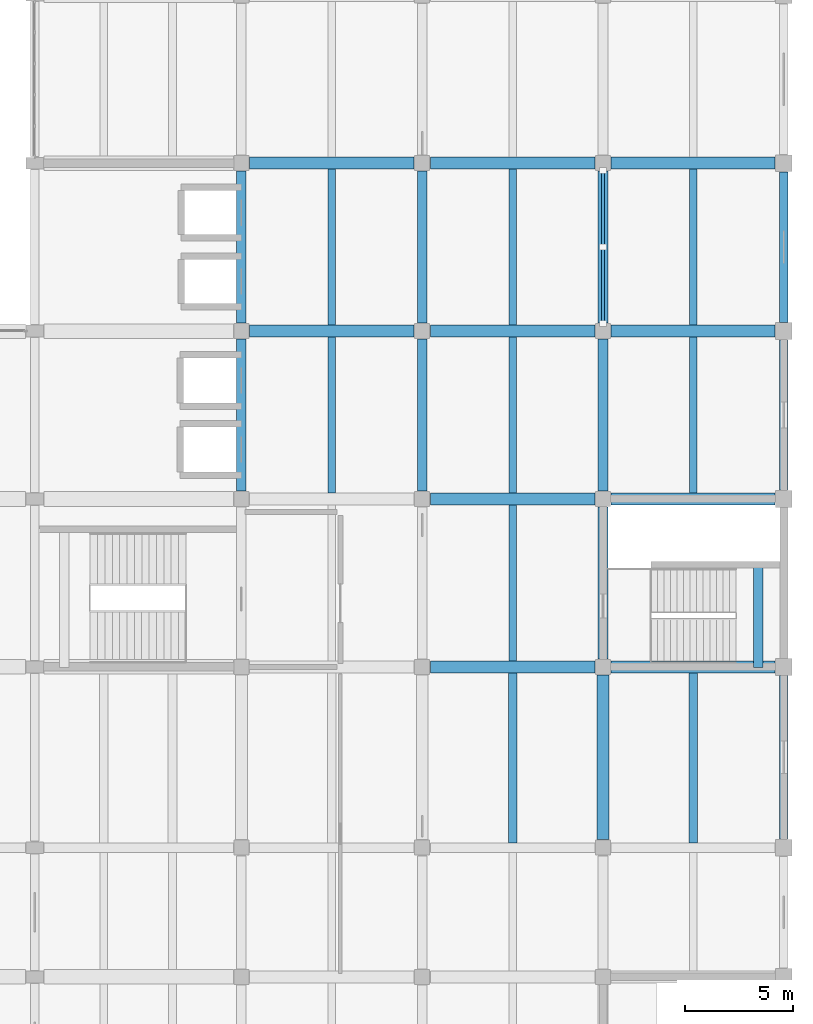
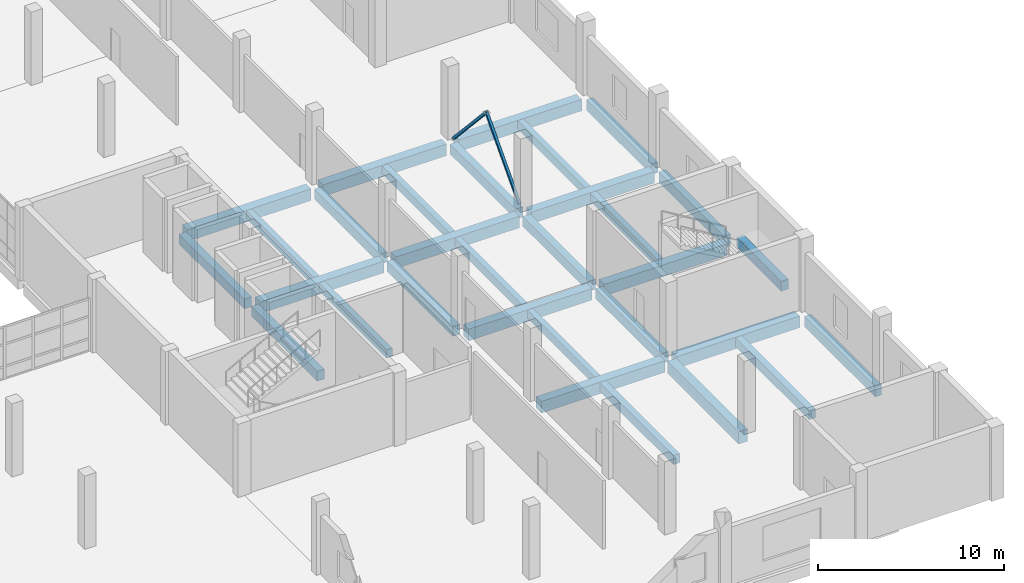
# One storey, part 54 of 91: 31 beams, 2 members.
"""IFC4 building model written with IfcOpenShell, lengths in metres."""

import ifcopenshell
import ifcopenshell.guid

model = None  # the IFC model being written
_history = None  # IfcOwnerHistory: only IFC2X3 demands one
_inside = {}  # id of a spatial element -> (the spatial element, [elements in it])
_under = {}  # id of a project, library or spatial element -> (it, [spatial elements below it])
_declared = {}  # id of a project -> (the project, [libraries it declares])
_typed = {}  # id of a type object -> (the type object, [elements of that type])
_made_of = {}  # id of a material, layer set ... -> (it, [elements and type objects made of it])


def new_model(schema):
    """Start an empty IFC model of exactly this schema.

    Asked for "IFC4X3", IfcOpenShell would pick the latest addendum, in which some entities
    have other attributes; the version numbers below select the first issue.
    IFC2X3 requires an IfcOwnerHistory on every rooted entity: one is made here for all.
    """
    global model, _history
    if schema == "IFC4X3":
        model = ifcopenshell.file(schema_version=(4, 3, 0, 0))
    else:
        model = ifcopenshell.file(schema=schema)
    _inside.clear()
    _under.clear()
    _declared.clear()
    _typed.clear()
    _made_of.clear()
    _history = None
    if model.schema == "IFC2X3":
        org = make("IfcOrganization", Name="unknown")
        user = make(
            "IfcPersonAndOrganization",
            ThePerson=make("IfcPerson", FamilyName="unknown"),
            TheOrganization=org,
        )
        app = make(
            "IfcApplication",
            ApplicationDeveloper=org,
            Version="unknown",
            ApplicationFullName="unknown",
            ApplicationIdentifier="unknown",
        )
        _history = make(
            "IfcOwnerHistory",
            OwningUser=user,
            OwningApplication=app,
            ChangeAction="ADDED",
            CreationDate=0,
        )
    return model


def make(cls, **values):
    """One entity of the class cls with the attributes given. An attribute that is None is left unset."""
    return model.create_entity(
        cls, **{name: value for name, value in values.items() if value is not None}
    )


def rooted(cls, **values):
    """An entity with a GlobalId (a new one), such as an element, a storey or a relation."""
    return make(cls, GlobalId=ifcopenshell.guid.new(), OwnerHistory=_history, **values)


def si_unit(unit_type, name, prefix=None):
    """IfcSIUnit, for example si_unit("LENGTHUNIT", "METRE", prefix="MILLI")."""
    return make("IfcSIUnit", UnitType=unit_type, Prefix=prefix, Name=name)


def assignment(units):
    """IfcUnitAssignment: the units of a project."""
    return None if units is None else make("IfcUnitAssignment", Units=units)


def point(xyz):
    """IfcCartesianPoint."""
    return None if xyz is None else make("IfcCartesianPoint", Coordinates=xyz)


def direction(xyz):
    """IfcDirection."""
    return None if xyz is None else make("IfcDirection", DirectionRatios=xyz)


def frame(location, z_axis=None, x_axis=None):
    """IfcAxis2Placement3D, a coordinate frame: its origin and axes. An axis left out is left unset."""
    return make(
        "IfcAxis2Placement3D",
        Location=point(location),
        Axis=direction(z_axis),
        RefDirection=direction(x_axis),
    )


def frame_2d(location, x_axis=None):
    """IfcAxis2Placement2D, a coordinate frame in the plane: its origin and x axis."""
    return make(
        "IfcAxis2Placement2D", Location=point(location), RefDirection=direction(x_axis)
    )


def origin():
    """The frame at (0, 0, 0) with its axes left unset."""
    return frame((0.0, 0.0, 0.0))


def origin_2d():
    """The frame at (0, 0) in the plane with its x axis left unset."""
    return frame_2d((0.0, 0.0))


def place(relative_to, where):
    """IfcLocalPlacement: puts the frame where relative to a parent placement (None: the world)."""
    return make(
        "IfcLocalPlacement", PlacementRelTo=relative_to, RelativePlacement=where
    )


def context(
    kind, dimensions, precision=None, world=None, true_north=None, identifier=None
):
    """IfcGeometricRepresentationContext, for example the 3D "Model" context."""
    return make(
        "IfcGeometricRepresentationContext",
        ContextIdentifier=identifier,
        ContextType=kind,
        CoordinateSpaceDimension=dimensions,
        Precision=precision,
        WorldCoordinateSystem=world,
        TrueNorth=true_north,
    )


def subcontext(parent, identifier, kind, view, scale=None):
    """IfcGeometricRepresentationSubContext, for example "Body" below "Model"."""
    return make(
        "IfcGeometricRepresentationSubContext",
        ContextIdentifier=identifier,
        ContextType=kind,
        ParentContext=parent,
        TargetScale=scale,
        TargetView=view,
    )


def project(units=None, contexts=None):
    """IfcProject with its units and contexts."""
    return rooted(
        "IfcProject",
        Name="project",
        RepresentationContexts=contexts,
        UnitsInContext=assignment(units),
    )


def spatial(cls, under=None, at=None, **own):
    """A site, building, storey or space (cls), placed at a placement, below another one or the project."""
    s = rooted(cls, ObjectPlacement=at, **own)
    if under is not None:
        _under.setdefault(under.id(), (under, []))[1].append(s)
    return s


def profile(cls, at=None, kind="AREA", **sizes):
    """A parametric profile (cls). Its sizes go by their IFC names, for example OverallWidth=200.0."""
    return make(cls, ProfileType=kind, Position=at, **sizes)


def rectangle(**sizes):
    """IfcRectangleProfileDef."""
    return profile("IfcRectangleProfileDef", **sizes)


def hollow_rectangle(**sizes):
    """IfcRectangleHollowProfileDef."""
    return profile("IfcRectangleHollowProfileDef", **sizes)


def extrude(swept, where, along, depth):
    """IfcExtrudedAreaSolid: the profile swept, set in the frame where, extruded along a direction by depth."""
    return make(
        "IfcExtrudedAreaSolid",
        SweptArea=swept,
        Position=where,
        ExtrudedDirection=direction(along),
        Depth=depth,
    )


def shape(context_of_items, identifier, shape_type, items):
    """IfcShapeRepresentation: the items that make up one representation, for example the "Body"."""
    return make(
        "IfcShapeRepresentation",
        ContextOfItems=context_of_items,
        RepresentationIdentifier=identifier,
        RepresentationType=shape_type,
        Items=items,
    )


def material(Name=None, Category=None):
    """IfcMaterial."""
    return make("IfcMaterial", Name=Name, Category=Category)


def material_profile(
    of_material, cross_section, Name=None, Category=None, Priority=None
):
    """IfcMaterialProfile: a cross section and its material."""
    return make(
        "IfcMaterialProfile",
        Name=Name,
        Material=of_material,
        Profile=cross_section,
        Priority=Priority,
        Category=Category,
    )


def profile_set(profiles, Name=None, composite=None):
    """IfcMaterialProfileSet."""
    return make(
        "IfcMaterialProfileSet",
        Name=Name,
        MaterialProfiles=profiles,
        CompositeProfile=composite,
    )


def made_of(thing, what):
    """Note that an element or type object is made of a material, layer set ...; save() writes the relation."""
    if what is not None:
        _made_of.setdefault(what.id(), (what, []))[1].append(thing)
    return thing


def type_object(cls, material=None, **own):
    """A type object (cls), such as IfcWallType, which elements share."""
    return made_of(rooted(cls, **own), material)


def element(
    cls,
    number,
    at=None,
    inside=None,
    cuts=None,
    type_object=None,
    material=None,
    context=None,
    identifier="Body",
    shape_type=None,
    held_by="IfcProductDefinitionShape",
    body=None,
    shapes=None,
    **own,
):
    """One element of the class cls, such as IfcWall. Its Tag is "e" and its number.

    at: its placement. inside: the storey or other place that contains it. cuts: it is an
    opening in that element (IfcRelVoidsElement). A single representation is given by context,
    identifier, shape_type and body (its items); several are given by shapes. held_by: the class
    of the entity that holds the representations. save() writes the other relations.
    """
    e = rooted(cls, Tag="e%d" % number, ObjectPlacement=at, **own)
    if body is not None:
        shapes = [shape(context, identifier, shape_type, body)]
    if shapes is not None:
        e.Representation = make(held_by, Representations=shapes)
    if inside is not None:
        _inside.setdefault(inside.id(), (inside, []))[1].append(e)
    if cuts is not None:
        rooted(
            "IfcRelVoidsElement", RelatingBuildingElement=cuts, RelatedOpeningElement=e
        )
    if type_object is not None:
        _typed.setdefault(type_object.id(), (type_object, []))[1].append(e)
    return made_of(e, material)


def aggregate(whole, parts):
    """IfcRelAggregates: a whole, such as a stair, and the parts it consists of."""
    return rooted("IfcRelAggregates", RelatingObject=whole, RelatedObjects=parts)


def save(model, path):
    """Write the relations noted so far, then the file.

    IfcRelAggregates (storeys below a building ...), IfcRelContainedInSpatialStructure (elements
    in a storey), IfcRelDefinesByType, IfcRelAssociatesMaterial and IfcRelDeclares: one each for
    every whole, place, type object, material and project.
    """
    for whole, parts in _under.values():
        aggregate(whole, parts)
    for where, things in _inside.values():
        rooted(
            "IfcRelContainedInSpatialStructure",
            RelatedElements=things,
            RelatingStructure=where,
        )
    for kind, things in _typed.values():
        rooted("IfcRelDefinesByType", RelatedObjects=things, RelatingType=kind)
    for what, things in _made_of.values():
        rooted("IfcRelAssociatesMaterial", RelatedObjects=things, RelatingMaterial=what)
    for by, libraries in _declared.values():
        rooted("IfcRelDeclares", RelatingContext=by, RelatedDefinitions=libraries)
    model.write(path)


model = new_model("IFC4")

# Units and contexts
model_context = context("Model", 3, precision=1e-05, world=origin(), true_north=direction((0.0, 1.0)))
body_context = subcontext(model_context, "Body", "Model", "MODEL_VIEW")
ifc_project = project(units=[si_unit("LENGTHUNIT", "METRE"), si_unit("AREAUNIT", "SQUARE_METRE"), si_unit("VOLUMEUNIT", "CUBIC_METRE"), si_unit("PLANEANGLEUNIT", "RADIAN"), si_unit("MASSUNIT", "GRAM", prefix="KILO")], contexts=[model_context])

# Site, building, storey
site_placement = place(None, origin())
site = spatial("IfcSite", under=ifc_project, at=site_placement, CompositionType="ELEMENT")
building_placement = place(site_placement, origin())
building = spatial("IfcBuilding", under=site, at=building_placement, Name="Pellamere Symphony Hall", CompositionType="ELEMENT")
storey_placement = place(building_placement, frame((0.0, 0.0, 5.39990234375)))
storey = spatial("IfcBuildingStorey", under=building, at=storey_placement, Name="L01", CompositionType="ELEMENT", Elevation=5.39990234375)

# Beams
ifc_material_1 = material(Name="Concrete 40 MPa", Category="concrete")
ifc_material_profile_1 = material_profile(ifc_material_1, rectangle(XDim=0.550048828125, YDim=0.800048828125, at=origin_2d()), Name="RC 550x800")
ifc_profile_set_1 = profile_set([ifc_material_profile_1], Name="Concrete 40 MPa")
beam_type_1 = type_object("IfcBeamType", Name="RC CB-05 550x800", PredefinedType="BEAM", material=ifc_profile_set_1)
beam_1_placement = place(storey_placement, frame((164.39990234375, 30.375, -0.679931640625), z_axis=(0.0, 1.0, 0.0), x_axis=(-1.0, 0.0, 0.0)))
element("IfcBeam", 1, at=beam_1_placement, inside=storey, type_object=beam_type_1, Name="Girder CB-05-Y0875 (L01)", PredefinedType="BEAM", context=body_context, shape_type="SweptSolid", body=[
    extrude(rectangle(XDim=0.550048828125, YDim=0.800048828125, at=origin_2d()), origin(), (0.0, 0.0, 1.0), 7.64990234375),
])
ifc_material_profile_2 = material_profile(ifc_material_1, rectangle(XDim=0.449951171875, YDim=0.64990234375, at=origin_2d()), Name="RC 450x650")
ifc_profile_set_2 = profile_set([ifc_material_profile_2], Name="Concrete 40 MPa")
beam_type_2 = type_object("IfcBeamType", Name="RC CB-08 450x650", PredefinedType="BEAM", material=ifc_profile_set_2)
for number, where, z_axis, x_axis, name in (
    (2, (147.60009765625, 46.574951171875, -0.60498046875), (0.0, 1.0, 0.0), (-1.0, 0.0, 0.0), "Girder CB-08-Y0855 (L01)"),
    (3, (147.60009765625, 54.375, -0.60498046875), (0.0, 1.0, 0.0), (-1.0, 0.0, 0.0), "Girder CB-08-Y0856 (L01)"),
    (4, (156.0, 46.574951171875, -0.60498046875), (0.0, 1.0, 0.0), (-1.0, 0.0, 0.0), "Girder CB-08-Y0866 (L01)"),
    (5, (156.0, 54.375, -0.60498046875), (0.0, 1.0, 0.0), (-1.0, 0.0, 0.0), "Girder CB-08-Y0867 (L01)"),
    (6, (164.39990234375, 38.77490234375, -0.60498046875), (0.0, 1.0, 0.0), (-1.0, 0.0, 0.0), "Girder CB-08-Y0876 (L01)"),
    (7, (164.39990234375, 46.574951171875, -0.60498046875), (0.0, 1.0, 0.0), (-1.0, 0.0, 0.0), "Girder CB-08-Y0877 (L01)"),
    (8, (164.39990234375, 54.375, -0.60498046875), (0.0, 1.0, 0.0), (-1.0, 0.0, 0.0), "Girder CB-08-Y0878 (L01)"),
):
    element("IfcBeam", number, at=place(storey_placement, frame(where, z_axis=z_axis, x_axis=x_axis)), inside=storey, type_object=beam_type_2, Name=name, PredefinedType="BEAM", context=body_context, shape_type="SweptSolid", body=[
        extrude(rectangle(XDim=0.449951171875, YDim=0.64990234375, at=origin_2d()), origin(), (0.0, 0.0, 1.0), 7.050048828125),
    ])
beam_2_placement = place(storey_placement, frame((171.607421875, 38.3798828125, 1.85498046875), z_axis=(0.0, 1.0, 0.0), x_axis=(-1.0, 0.0, 0.0)))
element("IfcBeam", 9, at=beam_2_placement, inside=storey, type_object=beam_type_2, Name="Stair ST06-L01 Half Landing Support Beam (L01)", PredefinedType="BEAM", context=body_context, shape_type="SweptSolid", body=[
    extrude(rectangle(XDim=0.449951171875, YDim=0.64990234375, at=origin_2d()), origin(), (0.0, 0.0, 1.0), 4.780029296875),
])
ifc_material_profile_3 = material_profile(ifc_material_1, rectangle(XDim=0.39990234375, YDim=0.60009765625, at=origin_2d()), Name="RC 400x600")
ifc_profile_set_3 = profile_set([ifc_material_profile_3], Name="Concrete 40 MPa")
beam_type_3 = type_object("IfcBeamType", Name="RC CB-09 400x600", PredefinedType="BEAM", material=ifc_profile_set_3)
for number, where, z_axis, x_axis, name in (
    (10, (160.199951171875, 30.22509765625, -0.594970703125), (0.0, 1.0, 0.0), (-1.0, 0.0, 0.0), "Secondary Floor Beam CB-09-M1904 (L01)"),
    (11, (168.60009765625, 30.22509765625, -0.594970703125), (0.0, 1.0, 0.0), (-1.0, 0.0, 0.0), "Secondary Floor Beam CB-09-M2004 (L01)"),
):
    element("IfcBeam", number, at=place(storey_placement, frame(where, z_axis=z_axis, x_axis=x_axis)), inside=storey, type_object=beam_type_3, Name=name, PredefinedType="BEAM", context=body_context, shape_type="SweptSolid", body=[
        extrude(rectangle(XDim=0.39990234375, YDim=0.60009765625, at=origin_2d()), origin(), (0.0, 0.0, 1.0), 7.89501953125),
    ])
ifc_material_2 = material(Name="Concrete 35 MPa", Category="concrete")
ifc_material_profile_4 = material_profile(ifc_material_2, rectangle(XDim=0.35009765625, YDim=0.550048828125, at=origin_2d()), Name="RC 350x550")
ifc_profile_set_4 = profile_set([ifc_material_profile_4], Name="Concrete 35 MPa")
beam_type_4 = type_object("IfcBeamType", Name="RC CB-10 350x550", PredefinedType="BEAM", material=ifc_profile_set_4)
for number, where, z_axis, x_axis, name in (
    (12, (151.800048828125, 46.47998046875, -0.56982421875), (0.0, 1.0, 0.0), (-1.0, 0.0, 0.0), "Secondary Floor Beam CB-10-M1806 (L01)"),
    (13, (151.800048828125, 54.280029296875, -0.56982421875), (0.0, 1.0, 0.0), (-1.0, 0.0, 0.0), "Secondary Floor Beam CB-10-M1807 (L01)"),
    (14, (160.199951171875, 38.679931640625, -0.56982421875), (0.0, 1.0, 0.0), (-1.0, 0.0, 0.0), "Secondary Floor Beam CB-10-M1905 (L01)"),
    (15, (160.199951171875, 46.47998046875, -0.56982421875), (0.0, 1.0, 0.0), (-1.0, 0.0, 0.0), "Secondary Floor Beam CB-10-M1906 (L01)"),
    (16, (160.199951171875, 54.280029296875, -0.56982421875), (0.0, 1.0, 0.0), (-1.0, 0.0, 0.0), "Secondary Floor Beam CB-10-M1907 (L01)"),
    (17, (168.60009765625, 46.47998046875, -0.56982421875), (0.0, 1.0, 0.0), (-1.0, 0.0, 0.0), "Secondary Floor Beam CB-10-M2006 (L01)"),
    (18, (168.60009765625, 54.280029296875, -0.56982421875), (0.0, 1.0, 0.0), (-1.0, 0.0, 0.0), "Secondary Floor Beam CB-10-M2007 (L01)"),
):
    element("IfcBeam", number, at=place(storey_placement, frame(where, z_axis=z_axis, x_axis=x_axis)), inside=storey, type_object=beam_type_4, Name=name, PredefinedType="BEAM", context=body_context, shape_type="SweptSolid", body=[
        extrude(rectangle(XDim=0.35009765625, YDim=0.550048828125, at=origin_2d()), origin(), (0.0, 0.0, 1.0), 7.239990234375),
    ])
ifc_material_profile_5 = material_profile(ifc_material_1, rectangle(XDim=0.39990234375, YDim=0.699951171875, at=origin_2d()), Name="RC 400x700")
ifc_profile_set_5 = profile_set([ifc_material_profile_5], Name="Concrete 40 MPa")
beam_type_5 = type_object("IfcBeamType", Name="RC CB-13 400x700", PredefinedType="SPANDREL", material=ifc_profile_set_5)
beam_3_placement = place(storey_placement, frame((172.800048828125, 30.409912109375, -0.6298828125), z_axis=(0.0, 1.0, 0.0), x_axis=(-1.0, 0.0, 0.0)))
element("IfcBeam", 19, at=beam_3_placement, inside=storey, type_object=beam_type_5, Name="Girder CB-13-Y0885 (L01)", PredefinedType="SPANDREL", context=body_context, shape_type="SweptSolid", body=[
    extrude(rectangle(XDim=0.39990234375, YDim=0.699951171875, at=origin_2d()), origin(), (0.0, 0.0, 1.0), 7.580078125),
])
for number, where, z_axis, x_axis, name in (
    (20, (172.800048828125, 46.610107421875, -0.6298828125), (0.0, 1.0, 0.0), (-1.0, 0.0, 0.0), "Girder CB-13-Y0886 (L01)"),
    (21, (172.800048828125, 54.409912109375, -0.6298828125), (0.0, 1.0, 0.0), (-1.0, 0.0, 0.0), "Girder CB-13-Y0887 (L01)"),
):
    element("IfcBeam", number, at=place(storey_placement, frame(where, z_axis=z_axis, x_axis=x_axis)), inside=storey, type_object=beam_type_5, Name=name, PredefinedType="SPANDREL", context=body_context, shape_type="SweptSolid", body=[
        extrude(rectangle(XDim=0.39990234375, YDim=0.699951171875, at=origin_2d()), origin(), (0.0, 0.0, 1.0), 6.97998046875),
    ])
ifc_material_profile_6 = material_profile(ifc_material_1, rectangle(XDim=0.56005859375, YDim=0.760009765625, at=origin_2d()), Name="RC 560x760")
ifc_profile_set_6 = profile_set([ifc_material_profile_6], Name="Concrete 40 MPa")
beam_type_6 = type_object("IfcBeamType", Name="RC CB-18 560x760", PredefinedType="BEAM", material=ifc_profile_set_6)
beam_4_placement = place(storey_placement, frame((156.375, 38.39990234375, -0.659912109375), z_axis=(1.0, 0.0, 0.0), x_axis=(0.0, 1.0, 0.0)))
element("IfcBeam", 22, at=beam_4_placement, inside=storey, type_object=beam_type_6, Name="Girder CB-18-X0613 (L01)", PredefinedType="BEAM", context=body_context, shape_type="SweptSolid", body=[
    extrude(rectangle(XDim=0.56005859375, YDim=0.760009765625, at=origin_2d()), origin(), (0.0, 0.0, 1.0), 7.64990234375),
])
beam_5_placement = place(storey_placement, frame((164.77490234375, 38.39990234375, -0.659912109375), z_axis=(1.0, 0.0, 0.0), x_axis=(0.0, 1.0, 0.0)))
element("IfcBeam", 23, at=beam_5_placement, inside=storey, type_object=beam_type_6, Name="Girder CB-18-X0614 (L01)", PredefinedType="BEAM", context=body_context, shape_type="SweptSolid", body=[
    extrude(rectangle(XDim=0.56005859375, YDim=0.760009765625, at=origin_2d()), origin(), (0.0, 0.0, 1.0), 7.614990234375),
])
beam_6_placement = place(storey_placement, frame((156.375, 46.199951171875, -0.659912109375), z_axis=(1.0, 0.0, 0.0), x_axis=(0.0, 1.0, 0.0)))
element("IfcBeam", 24, at=beam_6_placement, inside=storey, type_object=beam_type_6, Name="Girder CB-18-X0633 (L01)", PredefinedType="BEAM", context=body_context, shape_type="SweptSolid", body=[
    extrude(rectangle(XDim=0.56005859375, YDim=0.760009765625, at=origin_2d()), origin(), (0.0, 0.0, 1.0), 7.64990234375),
])
beam_7_placement = place(storey_placement, frame((164.77490234375, 46.199951171875, -0.659912109375), z_axis=(1.0, 0.0, 0.0), x_axis=(0.0, 1.0, 0.0)))
element("IfcBeam", 25, at=beam_7_placement, inside=storey, type_object=beam_type_6, Name="Girder CB-18-X0634 (L01)", PredefinedType="BEAM", context=body_context, shape_type="SweptSolid", body=[
    extrude(rectangle(XDim=0.56005859375, YDim=0.760009765625, at=origin_2d()), origin(), (0.0, 0.0, 1.0), 7.614990234375),
])
for number, where, z_axis, x_axis, name in (
    (26, (147.97509765625, 54.0, -0.659912109375), (1.0, 0.0, 0.0), (0.0, 1.0, 0.0), "Girder CB-18-X0645 (L01)"),
    (27, (156.375, 54.0, -0.659912109375), (1.0, 0.0, 0.0), (0.0, 1.0, 0.0), "Girder CB-18-X0646 (L01)"),
):
    element("IfcBeam", number, at=place(storey_placement, frame(where, z_axis=z_axis, x_axis=x_axis)), inside=storey, type_object=beam_type_6, Name=name, PredefinedType="BEAM", context=body_context, shape_type="SweptSolid", body=[
        extrude(rectangle(XDim=0.56005859375, YDim=0.760009765625, at=origin_2d()), origin(), (0.0, 0.0, 1.0), 7.64990234375),
    ])
beam_8_placement = place(storey_placement, frame((164.77490234375, 54.0, -0.659912109375), z_axis=(1.0, 0.0, 0.0), x_axis=(0.0, 1.0, 0.0)))
element("IfcBeam", 28, at=beam_8_placement, inside=storey, type_object=beam_type_6, Name="Girder CB-18-X0647 (L01)", PredefinedType="BEAM", context=body_context, shape_type="SweptSolid", body=[
    extrude(rectangle(XDim=0.56005859375, YDim=0.760009765625, at=origin_2d()), origin(), (0.0, 0.0, 1.0), 7.614990234375),
])
for number, where, z_axis, x_axis, name in (
    (29, (147.97509765625, 61.800048828125, -0.659912109375), (1.0, 0.0, 0.0), (0.0, 1.0, 0.0), "Girder CB-18-X0651 (L01)"),
    (30, (156.375, 61.800048828125, -0.659912109375), (1.0, 0.0, 0.0), (0.0, 1.0, 0.0), "Girder CB-18-X0652 (L01)"),
):
    element("IfcBeam", number, at=place(storey_placement, frame(where, z_axis=z_axis, x_axis=x_axis)), inside=storey, type_object=beam_type_6, Name=name, PredefinedType="BEAM", context=body_context, shape_type="SweptSolid", body=[
        extrude(rectangle(XDim=0.56005859375, YDim=0.760009765625, at=origin_2d()), origin(), (0.0, 0.0, 1.0), 7.64990234375),
    ])
beam_9_placement = place(storey_placement, frame((164.77490234375, 61.800048828125, -0.659912109375), z_axis=(1.0, 0.0, 0.0), x_axis=(0.0, 1.0, 0.0)))
element("IfcBeam", 31, at=beam_9_placement, inside=storey, type_object=beam_type_6, Name="Girder CB-18-X0653 (L01)", PredefinedType="BEAM", context=body_context, shape_type="SweptSolid", body=[
    extrude(rectangle(XDim=0.56005859375, YDim=0.760009765625, at=origin_2d()), origin(), (0.0, 0.0, 1.0), 7.614990234375),
])

# Members
ifc_material_3 = material(Name="Steel CSA G40.21 350W", Category="steel")
ifc_material_profile_7 = material_profile(ifc_material_3, hollow_rectangle(XDim=0.15234375, YDim=0.15234375, WallThickness=0.009521484375, at=origin_2d()), Name="HSS152X152X10")
ifc_profile_set_7 = profile_set([ifc_material_profile_7], Name="Steel CSA G40.21 350W")
member_type = type_object("IfcMemberType", Name="Steel Member SM-06 HSS152X152X10", PredefinedType="BRACE", material=ifc_profile_set_7)
member_1_placement = place(storey_placement, frame((164.39990234375, 54.35009765625, 0.0), z_axis=(0.0, 0.675951954539, 0.736945693491), x_axis=(-1.0, 0.0, 0.0)))
element("IfcMember", 32, at=member_1_placement, inside=storey, type_object=member_type, Name="Interior Frame Chevron Brace 03A (L01)", PredefinedType="BRACE", context=body_context, shape_type="SweptSolid", body=[
    extrude(hollow_rectangle(XDim=0.15234375, YDim=0.15234375, WallThickness=0.009521484375, at=origin_2d()), origin(), (0.0, 0.0, 1.0), 5.25146484375),
])
member_2_placement = place(storey_placement, frame((164.39990234375, 61.449951171875, 0.0), z_axis=(0.0, -0.675977201082, 0.736922535696), x_axis=(1.0, 0.0, 0.0)))
element("IfcMember", 33, at=member_2_placement, inside=storey, type_object=member_type, Name="Interior Frame Chevron Brace 03B (L01)", PredefinedType="BRACE", context=body_context, shape_type="SweptSolid", body=[
    extrude(hollow_rectangle(XDim=0.15234375, YDim=0.15234375, WallThickness=0.009521484375, at=origin_2d()), origin(), (0.0, 0.0, 1.0), 5.251708984375),
])

save(model, "model.ifc")
